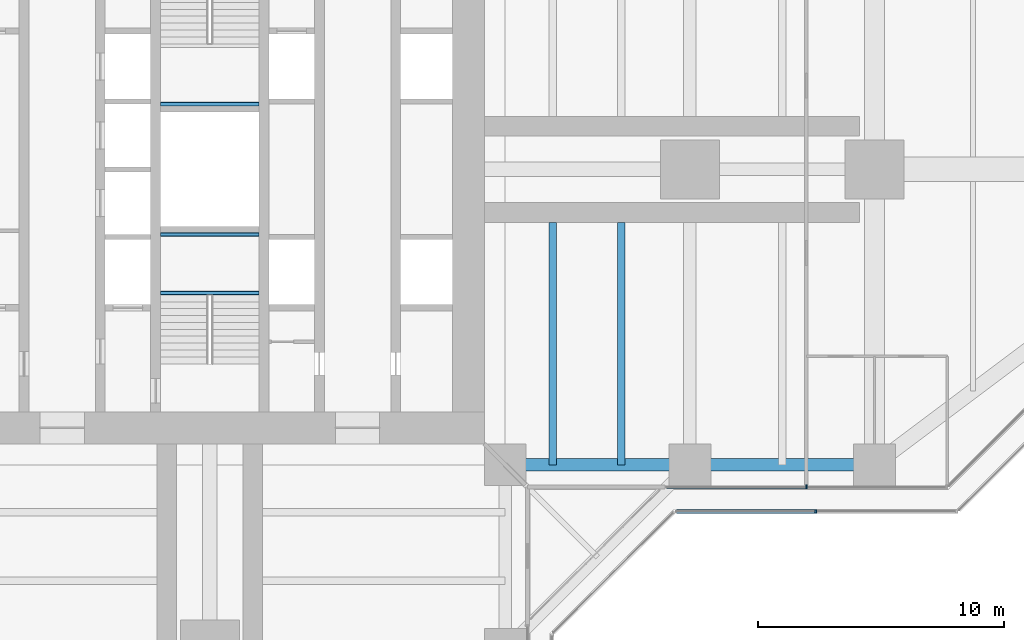
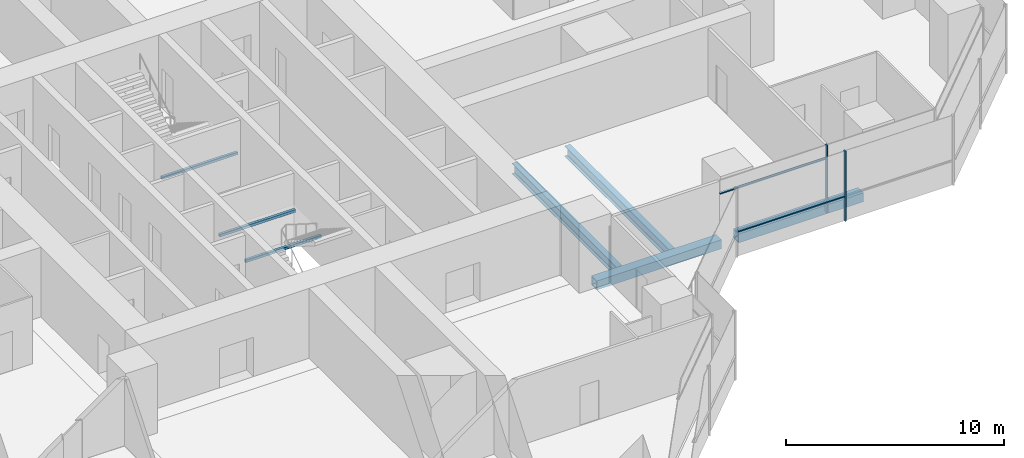
# One storey, part 5 of 19: 7 beams, 4 members, 2 elements without a shape of their own.
"""IFC4 building model written with IfcOpenShell, lengths in metres."""

from ifc_helpers import new_model, si_unit, direction, frame, origin, origin_2d, place, context, subcontext, project, spatial, rectangle, hollow_rectangle, i_section, extrude, material, material_profile, profile_set, type_object, element, aggregate, save


model = new_model("IFC4")

# Units and contexts
model_context = context("Model", 3, precision=1e-05, world=origin(), true_north=direction((0.0, 1.0)))
body_context = subcontext(model_context, "Body", "Model", "MODEL_VIEW")
ifc_project = project(units=[si_unit("LENGTHUNIT", "METRE"), si_unit("AREAUNIT", "SQUARE_METRE"), si_unit("VOLUMEUNIT", "CUBIC_METRE"), si_unit("PLANEANGLEUNIT", "RADIAN"), si_unit("MASSUNIT", "GRAM", prefix="KILO")], contexts=[model_context])

# Site, building, storey
site_placement = place(None, origin())
site = spatial("IfcSite", under=ifc_project, at=site_placement, CompositionType="ELEMENT")
building_placement = place(site_placement, origin())
building = spatial("IfcBuilding", under=site, at=building_placement, Name="Mizan Broadcast Tower", CompositionType="ELEMENT")
storey_placement = place(building_placement, frame((0.0, 0.0, 132.0)))
storey = spatial("IfcBuildingStorey", under=building, at=storey_placement, Name="L29", CompositionType="ELEMENT", Elevation=132.0)

# Beams
ifc_material_1 = material(Name="Steel S355", Category="steel")
ifc_material_profile_1 = material_profile(ifc_material_1, hollow_rectangle(XDim=0.5, YDim=0.5, WallThickness=0.030029296875, at=origin_2d()), Name="BOX 500x500x30")
ifc_profile_set_1 = profile_set([ifc_material_profile_1], Name="Steel S355")
beam_type_1 = type_object("IfcBeamType", Name="EDGE BEAM BOX 500x500x30", PredefinedType="SPANDREL", material=ifc_profile_set_1)
for number, where, z_axis, x_axis, name in (
    (1, (12.449951171875, -12.0, -0.3798828125), (1.0, 0.0, 0.0), (0.0, 1.0, 0.0), "Edge beam BOX 500x500x30 L29 east arm"),
    (2, (19.949951171875, -12.0, -0.3798828125), (1.0, 0.0, 0.0), (0.0, 1.0, 0.0), "Edge beam BOX 500x500x30 L29 east arm"),
):
    element("IfcBeam", number, at=place(storey_placement, frame(where, z_axis=z_axis, x_axis=x_axis)), inside=storey, type_object=beam_type_1, Name=name, PredefinedType="SPANDREL", context=body_context, shape_type="SweptSolid", body=[
        extrude(hollow_rectangle(XDim=0.5, YDim=0.5, WallThickness=0.030029296875, at=origin_2d()), origin(), (0.0, 0.0, 1.0), 6.60009765625),
    ])

# Curtain wall, members
ifc_material_2 = material(Name="Aluminium framed glazing", Category="aluminium")
curtain_wall_type_1 = type_object("IfcCurtainWallType", Name="INNER SKIN MID ZONE", PredefinedType="USERDEFINED", material=ifc_material_2)
curtain_wall_1_placement = place(storey_placement, origin())
curtain_wall_1 = element("IfcCurtainWall", 3, at=curtain_wall_1_placement, inside=storey, type_object=curtain_wall_type_1, Name="Inner skin mid zone L29 E side", ObjectType="INNER SKIN MID ZONE", PredefinedType="USERDEFINED")
ifc_material_3 = material(Name="Aluminium, pale anodised", Category="aluminium")
ifc_material_profile_2 = material_profile(ifc_material_3, rectangle(XDim=0.159912109375, YDim=0.06005859375, at=origin_2d()), Name="MULLION 160x60")
ifc_profile_set_2 = profile_set([ifc_material_profile_2], Name="Aluminium, pale anodised")
member_type_1 = type_object("IfcMemberType", Name="INNER SKIN MULLION 60x160", PredefinedType="MULLION", material=ifc_profile_set_2)
member_1_placement = place(storey_placement, frame((24.229248046875, -12.89990234375, 0.0), z_axis=(0.0, 0.0, 1.0), x_axis=(0.0, 1.0, 0.0)))
member_1 = element("IfcMember", 4, at=member_1_placement, type_object=member_type_1, Name="Inner skin mid zone L29 E side mullion 2", PredefinedType="MULLION", context=body_context, shape_type="SweptSolid", body=[
    extrude(rectangle(XDim=0.159912109375, YDim=0.06005859375, at=origin_2d()), origin(), (0.0, 0.0, 1.0), 3.77001953125),
])
ifc_material_4 = material(Name="Aluminium, pale anodised", Category="aluminium")
ifc_material_profile_3 = material_profile(ifc_material_4, rectangle(XDim=0.1201171875, YDim=0.06005859375, at=origin_2d()), Name="TRANSOM 120x60")
ifc_profile_set_3 = profile_set([ifc_material_profile_3], Name="Aluminium, pale anodised")
member_type_2 = type_object("IfcMemberType", Name="INNER SKIN TRANSOM 60x120", PredefinedType="USERDEFINED", material=ifc_profile_set_3)
member_2_placement = place(storey_placement, frame((18.56005859375, -12.89990234375, 3.030029296875), z_axis=(1.0, 0.0, 0.0), x_axis=(0.0, 1.0, 0.0)))
member_2 = element("IfcMember", 5, at=member_2_placement, type_object=member_type_2, Name="Inner skin mid zone L29 E side transom 1.1", ObjectType="TRANSOM", PredefinedType="USERDEFINED", context=body_context, shape_type="SweptSolid", body=[
    extrude(rectangle(XDim=0.1201171875, YDim=0.06005859375, at=origin_2d()), origin(), (0.0, 0.0, 1.0), 5.63916015625),
])
aggregate(curtain_wall_1, [member_1, member_2])

# Beams
ifc_material_5 = material(Name="Steel S355", Category="steel")
ifc_material_profile_4 = material_profile(ifc_material_5, hollow_rectangle(XDim=0.14990234375, YDim=0.14990234375, WallThickness=0.008056640625, InnerFilletRadius=0.008056640625, OuterFilletRadius=0.011962890625, at=origin_2d()), Name="SHS 150x150x8")
ifc_profile_set_4 = profile_set([ifc_material_profile_4], Name="Steel S355")
beam_type_2 = type_object("IfcBeamType", Name="LANDING TRIMMER SHS 150x150x8", PredefinedType="BEAM", material=ifc_profile_set_4)
for number, where, z_axis, x_axis, name in (
    (6, (-2.0, -5.02490234375, 1.675048828125), (1.0, 0.0, 0.0), (0.0, 1.0, 0.0), "Stair A landing trimmer L29"),
    (7, (-2.0, -2.64990234375, 1.675048828125), (1.0, 0.0, 0.0), (0.0, 1.0, 0.0), "Stair A landing trimmer L29"),
    (8, (2.0, 2.64990234375, 1.675048828125), (-1.0, 0.0, 0.0), (0.0, -1.0, 0.0), "Stair B landing trimmer L29"),
):
    element("IfcBeam", number, at=place(storey_placement, frame(where, z_axis=z_axis, x_axis=x_axis)), inside=storey, type_object=beam_type_2, Name=name, PredefinedType="BEAM", context=body_context, shape_type="SweptSolid", body=[
        extrude(hollow_rectangle(XDim=0.14990234375, YDim=0.14990234375, WallThickness=0.008056640625, InnerFilletRadius=0.008056640625, OuterFilletRadius=0.011962890625, at=origin_2d()), origin(), (0.0, 0.0, 1.0), 4.0),
    ])

# Curtain wall, members
ifc_material_6 = material(Name="Aluminium framed glazing", Category="aluminium")
curtain_wall_type_2 = type_object("IfcCurtainWallType", Name="OUTER SKIN", PredefinedType="USERDEFINED", material=ifc_material_6)
curtain_wall_2_placement = place(storey_placement, origin())
curtain_wall_2 = element("IfcCurtainWall", 9, at=curtain_wall_2_placement, inside=storey, type_object=curtain_wall_type_2, Name="Outer skin L29 E side", ObjectType="OUTER SKIN", PredefinedType="USERDEFINED")
ifc_material_7 = material(Name="Aluminium, pale anodised", Category="aluminium")
ifc_material_profile_5 = material_profile(ifc_material_7, rectangle(XDim=0.159912109375, YDim=0.080078125, at=origin_2d()), Name="MULLION 160x80")
ifc_profile_set_5 = profile_set([ifc_material_profile_5], Name="Aluminium, pale anodised")
member_type_3 = type_object("IfcMemberType", Name="OUTER SKIN MULLION 80x160", PredefinedType="MULLION", material=ifc_profile_set_5)
member_3_placement = place(storey_placement, frame((24.622802734375, -13.89990234375, 0.0), z_axis=(0.0, 0.0, 1.0), x_axis=(0.0, 1.0, 0.0)))
member_3 = element("IfcMember", 10, at=member_3_placement, type_object=member_type_3, Name="Outer skin L29 E side mullion 2", PredefinedType="MULLION", context=body_context, shape_type="SweptSolid", body=[
    extrude(rectangle(XDim=0.159912109375, YDim=0.080078125, at=origin_2d()), origin(), (0.0, 0.0, 1.0), 3.89990234375),
])
ifc_material_8 = material(Name="Aluminium, pale anodised", Category="aluminium")
ifc_material_profile_6 = material_profile(ifc_material_8, rectangle(XDim=0.159912109375, YDim=0.06005859375, at=origin_2d()), Name="TRANSOM 160x60")
ifc_profile_set_6 = profile_set([ifc_material_profile_6], Name="Aluminium, pale anodised")
member_type_4 = type_object("IfcMemberType", Name="OUTER SKIN TRANSOM 60x160", PredefinedType="USERDEFINED", material=ifc_profile_set_6)
member_4_placement = place(storey_placement, frame((18.952880859375, -13.89990234375, 1.39990234375), z_axis=(1.0, 0.0, 0.0), x_axis=(0.0, 1.0, 0.0)))
member_4 = element("IfcMember", 11, at=member_4_placement, type_object=member_type_4, Name="Outer skin L29 E side transom 1.1", ObjectType="TRANSOM", PredefinedType="USERDEFINED", context=body_context, shape_type="SweptSolid", body=[
    extrude(rectangle(XDim=0.159912109375, YDim=0.06005859375, at=origin_2d()), origin(), (0.0, 0.0, 1.0), 5.6298828125),
])
aggregate(curtain_wall_2, [member_3, member_4])

# Beams
ifc_material_9 = material(Name="Steel S355", Category="steel")
ifc_material_profile_7 = material_profile(ifc_material_9, i_section(OverallWidth=0.300048828125, OverallDepth=0.590087890625, WebThickness=0.012939453125, FlangeThickness=0.02490234375, FilletRadius=0.027099609375, at=origin_2d()), Name="HEA 600")
ifc_profile_set_7 = profile_set([ifc_material_profile_7], Name="Steel S355")
beam_type_3 = type_object("IfcBeamType", Name="SECONDARY BEAM HEA 600", PredefinedType="JOIST", material=ifc_profile_set_7)
for number, where, z_axis, x_axis, name in (
    (12, (13.933349609375, -12.0, -0.425048828125), (0.0, 1.0, 0.0), (-1.0, 0.0, 0.0), "Secondary beam HEA 600 L29 east arm"),
    (13, (16.716552734375, -12.0, -0.425048828125), (0.0, 1.0, 0.0), (-1.0, 0.0, 0.0), "Secondary beam HEA 600 L29 east arm"),
):
    element("IfcBeam", number, at=place(storey_placement, frame(where, z_axis=z_axis, x_axis=x_axis)), inside=storey, type_object=beam_type_3, Name=name, PredefinedType="JOIST", context=body_context, shape_type="SweptSolid", body=[
        extrude(i_section(OverallWidth=0.300048828125, OverallDepth=0.590087890625, WebThickness=0.012939453125, FlangeThickness=0.02490234375, FilletRadius=0.027099609375, at=origin_2d()), origin(), (0.0, 0.0, 1.0), 9.85009765625),
    ])

save(model, "model.ifc")
